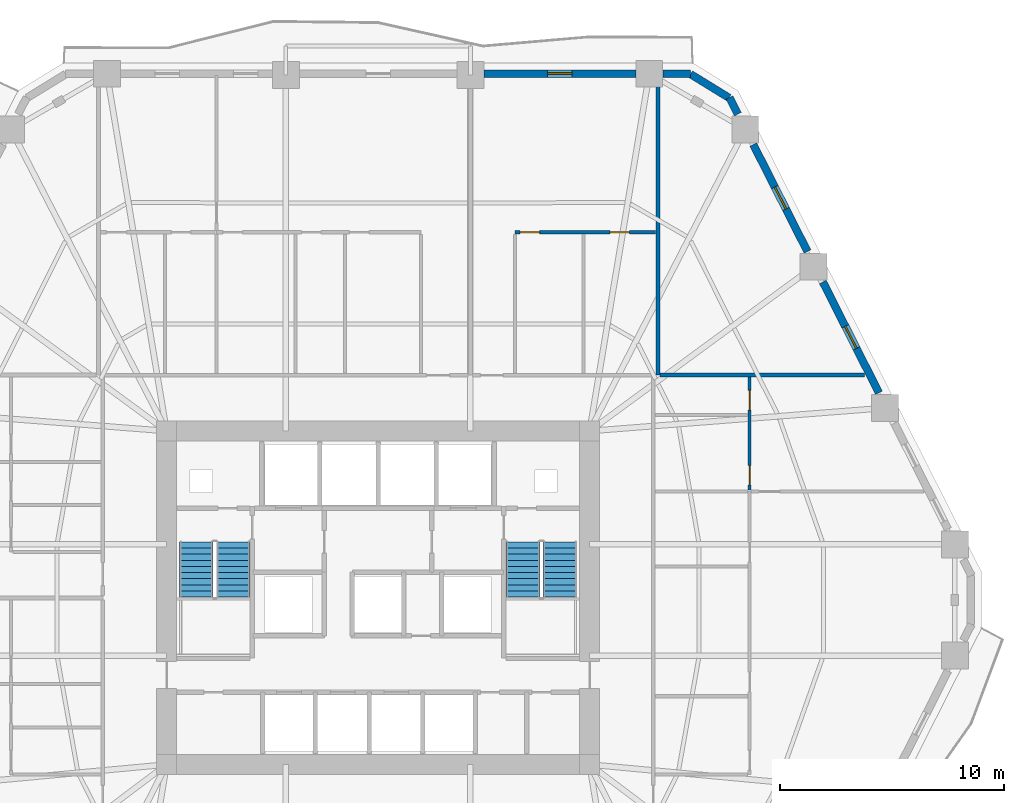
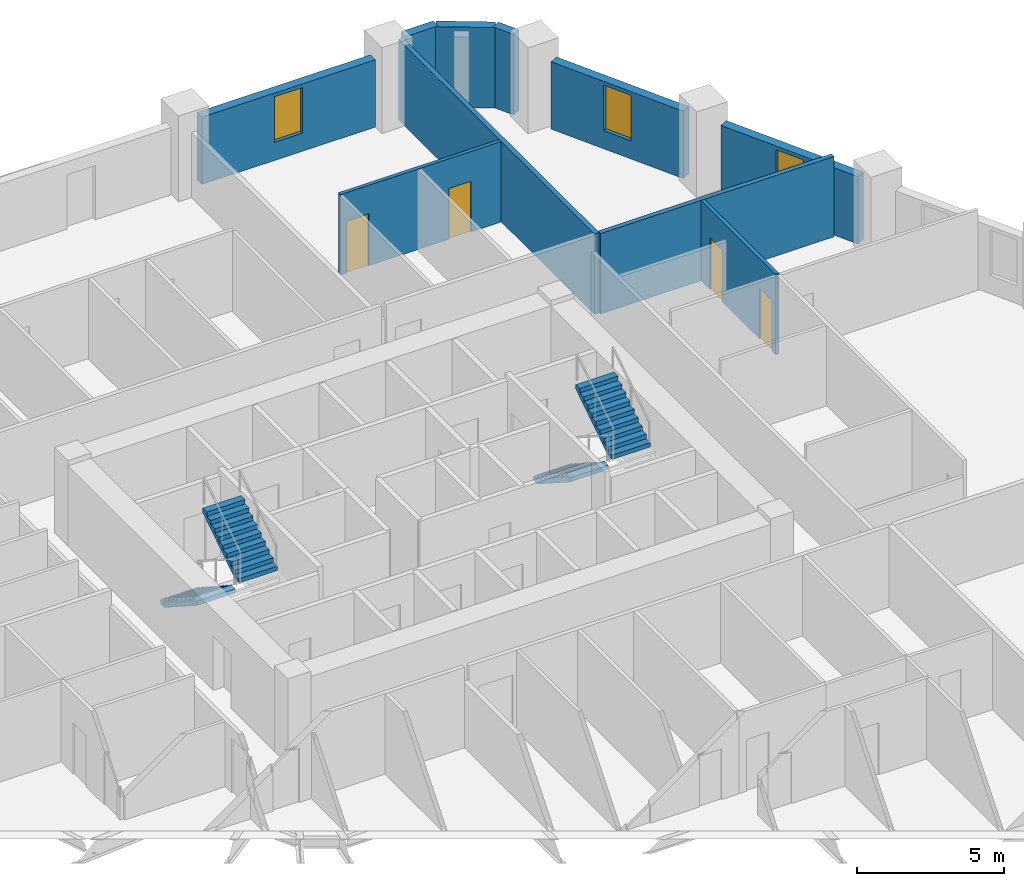
# One storey, part 8 of 12: 10 walls, 4 doors, 4 stair flights, 3 windows, 7 openings, 2 elements without a shape of their own.
"""IFC4 building model written with IfcOpenShell, lengths in metres."""

import ifcopenshell
import ifcopenshell.guid

model = None  # the IFC model being written
_history = None  # IfcOwnerHistory: only IFC2X3 demands one
_inside = {}  # id of a spatial element -> (the spatial element, [elements in it])
_under = {}  # id of a project, library or spatial element -> (it, [spatial elements below it])
_declared = {}  # id of a project -> (the project, [libraries it declares])
_typed = {}  # id of a type object -> (the type object, [elements of that type])
_made_of = {}  # id of a material, layer set ... -> (it, [elements and type objects made of it])


def new_model(schema):
    """Start an empty IFC model of exactly this schema.

    Asked for "IFC4X3", IfcOpenShell would pick the latest addendum, in which some entities
    have other attributes; the version numbers below select the first issue.
    IFC2X3 requires an IfcOwnerHistory on every rooted entity: one is made here for all.
    """
    global model, _history
    if schema == "IFC4X3":
        model = ifcopenshell.file(schema_version=(4, 3, 0, 0))
    else:
        model = ifcopenshell.file(schema=schema)
    _inside.clear()
    _under.clear()
    _declared.clear()
    _typed.clear()
    _made_of.clear()
    _history = None
    if model.schema == "IFC2X3":
        org = make("IfcOrganization", Name="unknown")
        user = make(
            "IfcPersonAndOrganization",
            ThePerson=make("IfcPerson", FamilyName="unknown"),
            TheOrganization=org,
        )
        app = make(
            "IfcApplication",
            ApplicationDeveloper=org,
            Version="unknown",
            ApplicationFullName="unknown",
            ApplicationIdentifier="unknown",
        )
        _history = make(
            "IfcOwnerHistory",
            OwningUser=user,
            OwningApplication=app,
            ChangeAction="ADDED",
            CreationDate=0,
        )
    return model


def make(cls, **values):
    """One entity of the class cls with the attributes given. An attribute that is None is left unset."""
    return model.create_entity(
        cls, **{name: value for name, value in values.items() if value is not None}
    )


def rooted(cls, **values):
    """An entity with a GlobalId (a new one), such as an element, a storey or a relation."""
    return make(cls, GlobalId=ifcopenshell.guid.new(), OwnerHistory=_history, **values)


def si_unit(unit_type, name, prefix=None):
    """IfcSIUnit, for example si_unit("LENGTHUNIT", "METRE", prefix="MILLI")."""
    return make("IfcSIUnit", UnitType=unit_type, Prefix=prefix, Name=name)


def assignment(units):
    """IfcUnitAssignment: the units of a project."""
    return None if units is None else make("IfcUnitAssignment", Units=units)


def point(xyz):
    """IfcCartesianPoint."""
    return None if xyz is None else make("IfcCartesianPoint", Coordinates=xyz)


def direction(xyz):
    """IfcDirection."""
    return None if xyz is None else make("IfcDirection", DirectionRatios=xyz)


def frame(location, z_axis=None, x_axis=None):
    """IfcAxis2Placement3D, a coordinate frame: its origin and axes. An axis left out is left unset."""
    return make(
        "IfcAxis2Placement3D",
        Location=point(location),
        Axis=direction(z_axis),
        RefDirection=direction(x_axis),
    )


def frame_2d(location, x_axis=None):
    """IfcAxis2Placement2D, a coordinate frame in the plane: its origin and x axis."""
    return make(
        "IfcAxis2Placement2D", Location=point(location), RefDirection=direction(x_axis)
    )


def origin():
    """The frame at (0, 0, 0) with its axes left unset."""
    return frame((0.0, 0.0, 0.0))


def place(relative_to, where):
    """IfcLocalPlacement: puts the frame where relative to a parent placement (None: the world)."""
    return make(
        "IfcLocalPlacement", PlacementRelTo=relative_to, RelativePlacement=where
    )


def context(
    kind, dimensions, precision=None, world=None, true_north=None, identifier=None
):
    """IfcGeometricRepresentationContext, for example the 3D "Model" context."""
    return make(
        "IfcGeometricRepresentationContext",
        ContextIdentifier=identifier,
        ContextType=kind,
        CoordinateSpaceDimension=dimensions,
        Precision=precision,
        WorldCoordinateSystem=world,
        TrueNorth=true_north,
    )


def subcontext(parent, identifier, kind, view, scale=None):
    """IfcGeometricRepresentationSubContext, for example "Body" below "Model"."""
    return make(
        "IfcGeometricRepresentationSubContext",
        ContextIdentifier=identifier,
        ContextType=kind,
        ParentContext=parent,
        TargetScale=scale,
        TargetView=view,
    )


def project(units=None, contexts=None):
    """IfcProject with its units and contexts."""
    return rooted(
        "IfcProject",
        Name="project",
        RepresentationContexts=contexts,
        UnitsInContext=assignment(units),
    )


def spatial(cls, under=None, at=None, **own):
    """A site, building, storey or space (cls), placed at a placement, below another one or the project."""
    s = rooted(cls, ObjectPlacement=at, **own)
    if under is not None:
        _under.setdefault(under.id(), (under, []))[1].append(s)
    return s


def polyline(points):
    """IfcPolyline through the points."""
    return make("IfcPolyline", Points=[point(p) for p in points])


def profile(cls, at=None, kind="AREA", **sizes):
    """A parametric profile (cls). Its sizes go by their IFC names, for example OverallWidth=200.0."""
    return make(cls, ProfileType=kind, Position=at, **sizes)


def rectangle(**sizes):
    """IfcRectangleProfileDef."""
    return profile("IfcRectangleProfileDef", **sizes)


def outline(outer, holes=None, kind="AREA"):
    """IfcArbitraryClosedProfileDef: a profile drawn as a closed curve; with holes, ...WithVoids."""
    if holes is None:
        return make("IfcArbitraryClosedProfileDef", ProfileType=kind, OuterCurve=outer)
    return make(
        "IfcArbitraryProfileDefWithVoids",
        ProfileType=kind,
        OuterCurve=outer,
        InnerCurves=holes,
    )


def extrude(swept, where, along, depth):
    """IfcExtrudedAreaSolid: the profile swept, set in the frame where, extruded along a direction by depth."""
    return make(
        "IfcExtrudedAreaSolid",
        SweptArea=swept,
        Position=where,
        ExtrudedDirection=direction(along),
        Depth=depth,
    )


def shape(context_of_items, identifier, shape_type, items):
    """IfcShapeRepresentation: the items that make up one representation, for example the "Body"."""
    return make(
        "IfcShapeRepresentation",
        ContextOfItems=context_of_items,
        RepresentationIdentifier=identifier,
        RepresentationType=shape_type,
        Items=items,
    )


def material(Name=None, Category=None):
    """IfcMaterial."""
    return make("IfcMaterial", Name=Name, Category=Category)


def layer(
    of_material, thickness, ventilated=None, Name=None, Category=None, Priority=None
):
    """IfcMaterialLayer: one layer of a wall or slab, of a material (None: an air gap)."""
    return make(
        "IfcMaterialLayer",
        Material=of_material,
        LayerThickness=thickness,
        IsVentilated=ventilated,
        Name=Name,
        Category=Category,
        Priority=Priority,
    )


def layer_set(layers, Name=None):
    """IfcMaterialLayerSet."""
    return make("IfcMaterialLayerSet", MaterialLayers=layers, LayerSetName=Name)


def made_of(thing, what):
    """Note that an element or type object is made of a material, layer set ...; save() writes the relation."""
    if what is not None:
        _made_of.setdefault(what.id(), (what, []))[1].append(thing)
    return thing


def type_object(cls, material=None, **own):
    """A type object (cls), such as IfcWallType, which elements share."""
    return made_of(rooted(cls, **own), material)


def element(
    cls,
    number,
    at=None,
    inside=None,
    cuts=None,
    type_object=None,
    material=None,
    context=None,
    identifier="Body",
    shape_type=None,
    held_by="IfcProductDefinitionShape",
    body=None,
    shapes=None,
    **own,
):
    """One element of the class cls, such as IfcWall. Its Tag is "e" and its number.

    at: its placement. inside: the storey or other place that contains it. cuts: it is an
    opening in that element (IfcRelVoidsElement). A single representation is given by context,
    identifier, shape_type and body (its items); several are given by shapes. held_by: the class
    of the entity that holds the representations. save() writes the other relations.
    """
    e = rooted(cls, Tag="e%d" % number, ObjectPlacement=at, **own)
    if body is not None:
        shapes = [shape(context, identifier, shape_type, body)]
    if shapes is not None:
        e.Representation = make(held_by, Representations=shapes)
    if inside is not None:
        _inside.setdefault(inside.id(), (inside, []))[1].append(e)
    if cuts is not None:
        rooted(
            "IfcRelVoidsElement", RelatingBuildingElement=cuts, RelatedOpeningElement=e
        )
    if type_object is not None:
        _typed.setdefault(type_object.id(), (type_object, []))[1].append(e)
    return made_of(e, material)


def fill(opening, filler):
    """IfcRelFillsElement: the door or window that sits in an opening."""
    return rooted(
        "IfcRelFillsElement",
        RelatingOpeningElement=opening,
        RelatedBuildingElement=filler,
    )


def aggregate(whole, parts):
    """IfcRelAggregates: a whole, such as a stair, and the parts it consists of."""
    return rooted("IfcRelAggregates", RelatingObject=whole, RelatedObjects=parts)


def save(model, path):
    """Write the relations noted so far, then the file.

    IfcRelAggregates (storeys below a building ...), IfcRelContainedInSpatialStructure (elements
    in a storey), IfcRelDefinesByType, IfcRelAssociatesMaterial and IfcRelDeclares: one each for
    every whole, place, type object, material and project.
    """
    for whole, parts in _under.values():
        aggregate(whole, parts)
    for where, things in _inside.values():
        rooted(
            "IfcRelContainedInSpatialStructure",
            RelatedElements=things,
            RelatingStructure=where,
        )
    for kind, things in _typed.values():
        rooted("IfcRelDefinesByType", RelatedObjects=things, RelatingType=kind)
    for what, things in _made_of.values():
        rooted("IfcRelAssociatesMaterial", RelatedObjects=things, RelatingMaterial=what)
    for by, libraries in _declared.values():
        rooted("IfcRelDeclares", RelatingContext=by, RelatedDefinitions=libraries)
    model.write(path)


model = new_model("IFC4")

# Units and contexts
model_context = context("Model", 3, precision=1e-05, world=origin(), true_north=direction((0.0, 1.0)))
body_context = subcontext(model_context, "Body", "Model", "MODEL_VIEW")
ifc_project = project(units=[si_unit("LENGTHUNIT", "METRE"), si_unit("AREAUNIT", "SQUARE_METRE"), si_unit("VOLUMEUNIT", "CUBIC_METRE"), si_unit("PLANEANGLEUNIT", "RADIAN"), si_unit("MASSUNIT", "GRAM", prefix="KILO")], contexts=[model_context])

# Site, building, storey
site_placement = place(None, origin())
site = spatial("IfcSite", under=ifc_project, at=site_placement, CompositionType="ELEMENT")
building_placement = place(site_placement, origin())
building = spatial("IfcBuilding", under=site, at=building_placement, Name="Cinnabar Lancet Tower", CompositionType="ELEMENT")
storey_placement = place(building_placement, frame((0.0, 0.0, 28.449951171875)))
storey = spatial("IfcBuildingStorey", under=building, at=storey_placement, Name="L06", CompositionType="ELEMENT", Elevation=28.449951171875)

# Walls
ifc_material_1 = material(Name="Fire-rated twin-frame acoustic drywall", Category="gypsum")
ifc_layer_1 = layer(ifc_material_1, 0.179931640625)
ifc_layer_set_1 = layer_set([ifc_layer_1], Name="Fire-rated twin-frame acoustic drywall")
wall_type_1 = type_object("IfcWallType", Name="ARC-WL-PARTY-180", PredefinedType="PARTITIONING", material=ifc_layer_set_1)
wall_1_placement = place(storey_placement, frame((44.89990234375, 35.85009765625, 0.0), z_axis=(0.0, 0.0, 1.0), x_axis=(0.0, 1.0, 0.0)))
element("IfcWall", 1, at=wall_1_placement, inside=storey, type_object=wall_type_1, Name="PW-L06-NPTY-449", PredefinedType="PARTITIONING", context=body_context, shape_type="SweptSolid", body=[
    extrude(rectangle(XDim=13.294921875, YDim=0.179931640625, at=frame_2d((6.6474609375, 0.0))), origin(), (0.0, 0.0, 1.0), 3.330078125),
])
wall_2_placement = place(storey_placement, frame((44.9951171875, 35.85009765625, 0.0), z_axis=(0.0, 0.0, 1.0), x_axis=(1.0, 0.0, 0.0)))
element("IfcWall", 2, at=wall_2_placement, inside=storey, type_object=wall_type_1, Name="PW-L06-ENB", PredefinedType="PARTITIONING", context=body_context, shape_type="SweptSolid", body=[
    extrude(rectangle(XDim=9.139892578125, YDim=0.179931640625, at=frame_2d((4.56982421875, 0.0))), origin(), (0.0, 0.0, 1.0), 3.330078125),
])

# Wall, openings, doors
ifc_material_2 = material(Name="Moisture-resistant cement-board plumbing wall", Category="masonry")
ifc_layer_2 = layer(ifc_material_2, 0.139892578125)
ifc_layer_set_2 = layer_set([ifc_layer_2], Name="Moisture-resistant cement-board plumbing wall")
wall_type_2 = type_object("IfcWallType", Name="ARC-WL-WET-140", PredefinedType="PLUMBINGWALL", material=ifc_layer_set_2)
wall_3_placement = place(storey_placement, frame((38.52197265625, 42.23193359375, 0.0), z_axis=(0.0, 0.0, 1.0), x_axis=(1.0, 0.0, 0.0)))
wall_3 = element("IfcWall", 3, at=wall_3_placement, inside=storey, type_object=wall_type_2, Name="UW-L06-N02-SPL", PredefinedType="PLUMBINGWALL", context=body_context, shape_type="SweptSolid", body=[
    extrude(rectangle(XDim=6.282958984375, YDim=0.139892578125, at=frame_2d((3.1416015625, 0.0))), origin(), (0.0, 0.0, 1.0), 3.330078125),
])
opening_1_placement = place(wall_3_placement, frame((4.2470703125, 0.0, 0.0)))
opening_1 = element("IfcOpeningElement", 4, at=opening_1_placement, cuts=wall_3, Name="Opening BD-01", PredefinedType="OPENING", context=body_context, shape_type="SweptSolid", body=[
    extrude(rectangle(XDim=0.860107421875, YDim=2.10009765625, at=frame_2d((0.43017578125, 1.050048828125))), frame((0.0, 0.079833984375, 0.0), z_axis=(0.0, -1.0, 0.0), x_axis=(1.0, 0.0, 0.0)), (0.0, 0.0, 1.0), 0.159912109375),
])
opening_2_placement = place(wall_3_placement, frame((0.219970703125, 0.0, 0.0)))
opening_2 = element("IfcOpeningElement", 5, at=opening_2_placement, cuts=wall_3, Name="Opening RD-02", PredefinedType="OPENING", context=body_context, shape_type="SweptSolid", body=[
    extrude(rectangle(XDim=0.8798828125, YDim=2.14990234375, at=frame_2d((0.43994140625, 1.074951171875))), frame((0.0, 0.079833984375, 0.0), z_axis=(0.0, -1.0, 0.0), x_axis=(1.0, 0.0, 0.0)), (0.0, 0.0, 1.0), 0.159912109375),
])
ifc_material_3 = material(Name="Moisture-resistant timber bathroom door", Category="wood")
door_type_1 = type_object("IfcDoorType", Name="ARC-DR-BATH", OperationType="NOTDEFINED", PredefinedType="DOOR", material=ifc_material_3)
door_1_placement = place(opening_1_placement, origin())
door_1 = element("IfcDoor", 6, at=door_1_placement, inside=storey, type_object=door_type_1, Name="DR-L06-N02-BTH", OperationType="SINGLE_SWING_RIGHT", OverallHeight=2.10009765625, OverallWidth=0.860107421875, PredefinedType="DOOR", context=body_context, shape_type="SweptSolid", body=[
    extrude(rectangle(XDim=0.860107421875, YDim=2.10009765625, at=frame_2d((0.43017578125, 1.050048828125))), frame((0.0, 0.02490234375, 0.0), z_axis=(0.0, -1.0, 0.0), x_axis=(1.0, 0.0, 0.0)), (0.0, 0.0, 1.0), 0.050048828125),
])
fill(opening_1, door_1)
ifc_material_4 = material(Name="Engineered timber study door", Category="wood")
door_type_2 = type_object("IfcDoorType", Name="ARC-DR-STUDY", OperationType="NOTDEFINED", PredefinedType="DOOR", material=ifc_material_4)
door_2_placement = place(opening_2_placement, origin())
door_2 = element("IfcDoor", 7, at=door_2_placement, inside=storey, type_object=door_type_2, Name="DR-L06-N02-KIT", OperationType="SINGLE_SWING_LEFT", OverallHeight=2.14990234375, OverallWidth=0.8798828125, PredefinedType="DOOR", context=body_context, shape_type="SweptSolid", body=[
    extrude(rectangle(XDim=0.8798828125, YDim=2.14990234375, at=frame_2d((0.43994140625, 1.074951171875))), frame((0.0, 0.02490234375, 0.0), z_axis=(0.0, -1.0, 0.0), x_axis=(1.0, 0.0, 0.0)), (0.0, 0.0, 1.0), 0.050048828125),
])
fill(opening_2, door_2)

wall_4_placement = place(storey_placement, frame((49.0, 30.718994140625, 0.0), z_axis=(0.0, 0.0, 1.0), x_axis=(0.0, 1.0, 0.0)))
wall_4 = element("IfcWall", 8, at=wall_4_placement, inside=storey, type_object=wall_type_2, Name="UW-L06-E01-SPM", PredefinedType="PLUMBINGWALL", context=body_context, shape_type="SweptSolid", body=[
    extrude(rectangle(XDim=5.035888671875, YDim=0.139892578125, at=frame_2d((2.51806640625, 0.0))), origin(), (0.0, 0.0, 1.0), 3.330078125),
])
opening_3_placement = place(wall_4_placement, frame((0.219970703125, 0.0, 0.0)))
opening_3 = element("IfcOpeningElement", 9, at=opening_3_placement, cuts=wall_4, Name="Opening BD-01", PredefinedType="OPENING", context=body_context, shape_type="SweptSolid", body=[
    extrude(rectangle(XDim=0.860107421875, YDim=2.10009765625, at=frame_2d((0.43017578125, 1.050048828125))), frame((0.0, 0.079833984375, 0.0), z_axis=(0.0, -1.0, 0.0), x_axis=(1.0, 0.0, 0.0)), (0.0, 0.0, 1.0), 0.159912109375),
])
opening_4_placement = place(wall_4_placement, frame((3.570068359375, 0.0, 0.0)))
opening_4 = element("IfcOpeningElement", 10, at=opening_4_placement, cuts=wall_4, Name="Opening RD-02", PredefinedType="OPENING", context=body_context, shape_type="SweptSolid", body=[
    extrude(rectangle(XDim=0.8798828125, YDim=2.14990234375, at=frame_2d((0.43994140625, 1.074951171875))), frame((0.0, 0.079833984375, 0.0), z_axis=(0.0, -1.0, 0.0), x_axis=(1.0, 0.0, 0.0)), (0.0, 0.0, 1.0), 0.159912109375),
])
door_3_placement = place(opening_3_placement, origin())
door_3 = element("IfcDoor", 11, at=door_3_placement, inside=storey, type_object=door_type_1, Name="DR-L06-E01-ENS", OperationType="SINGLE_SWING_LEFT", OverallHeight=2.10009765625, OverallWidth=0.860107421875, PredefinedType="DOOR", context=body_context, shape_type="SweptSolid", body=[
    extrude(rectangle(XDim=0.860107421875, YDim=2.10009765625, at=frame_2d((0.43017578125, 1.050048828125))), frame((0.0, 0.02490234375, 0.0), z_axis=(0.0, -1.0, 0.0), x_axis=(1.0, 0.0, 0.0)), (0.0, 0.0, 1.0), 0.050048828125),
])
fill(opening_3, door_3)
door_4_placement = place(opening_4_placement, origin())
door_4 = element("IfcDoor", 12, at=door_4_placement, inside=storey, type_object=door_type_2, Name="DR-L06-E01-EWDR", OperationType="SINGLE_SWING_RIGHT", OverallHeight=2.14990234375, OverallWidth=0.8798828125, PredefinedType="DOOR", context=body_context, shape_type="SweptSolid", body=[
    extrude(rectangle(XDim=0.8798828125, YDim=2.14990234375, at=frame_2d((0.43994140625, 1.074951171875))), frame((0.0, 0.02490234375, 0.0), z_axis=(0.0, -1.0, 0.0), x_axis=(1.0, 0.0, 0.0)), (0.0, 0.0, 1.0), 0.050048828125),
])
fill(opening_4, door_4)

# Wall
ifc_material_5 = material(Name="Cinnabar red clay brick", Category="masonry")
ifc_layer_3 = layer(ifc_material_5, 0.340087890625)
ifc_layer_set_3 = layer_set([ifc_layer_3], Name="Cinnabar red clay brick")
wall_type_3 = type_object("IfcWallType", Name="ENV-WL-BRK-RED-340", PredefinedType="STANDARD", material=ifc_layer_set_3)
wall_5_placement = place(storey_placement, frame((48.080078125, 48.238037109375, 0.0), z_axis=(0.0, 0.0, 1.0), x_axis=(-0.851870104345, 0.523753114857, 0.0)))
element("IfcWall", 13, at=wall_5_placement, inside=storey, type_object=wall_type_3, Name="L06 Chamfered Corner Brick Pier 4.1", PredefinedType="STANDARD", context=body_context, shape_type="SweptSolid", body=[
    extrude(rectangle(XDim=2.017822265625, YDim=0.340087890625, at=frame_2d((1.0087890625, 0.0))), origin(), (0.0, 0.0, 1.0), 3.330078125),
])

# Wall, opening, window
wall_6_placement = place(storey_placement, frame((54.77587890625, 35.06103515625, 0.0), z_axis=(0.0, 0.0, 1.0), x_axis=(-0.451592100298, 0.892224509273, 0.0)))
wall_6 = element("IfcWall", 14, at=wall_6_placement, inside=storey, type_object=wall_type_3, Name="L06 Face 3 Masonry Bay Wall 3", PredefinedType="STANDARD", context=body_context, shape_type="SweptSolid", body=[
    extrude(rectangle(XDim=5.546875, YDim=0.340087890625, at=frame_2d((2.7734375, 0.0))), origin(), (0.0, 0.0, 1.0), 2.787109375),
])
opening_5_placement = place(wall_6_placement, frame((2.222900390625, 0.0, 0.75)))
opening_5 = element("IfcOpeningElement", 15, at=opening_5_placement, cuts=wall_6, Name="Opening WN-04", PredefinedType="OPENING", context=body_context, shape_type="SweptSolid", body=[
    extrude(rectangle(XDim=1.10009765625, YDim=1.886962890625, at=frame_2d((0.550048828125, 0.943359375))), frame((0.0, 0.179931640625, 0.0), z_axis=(0.0, -1.0, 0.0), x_axis=(1.0, 0.0, 0.0)), (0.0, 0.0, 1.0), 0.360107421875),
])
ifc_material_6 = material(Name="Thermally broken bronze-anodized aluminium tall lancet window", Category="aluminium")
window_type = type_object("IfcWindowType", Name="ENV-WN-LANCET-1100", PartitioningType="SINGLE_PANEL", PredefinedType="WINDOW", material=ifc_material_6)
window_1_placement = place(opening_5_placement, origin())
window_1 = element("IfcWindow", 16, at=window_1_placement, inside=storey, type_object=window_type, Name="L06 Face 3 Gothic Lancet Window 3", OverallHeight=1.886962890625, OverallWidth=1.10009765625, PartitioningType="SINGLE_PANEL", PredefinedType="WINDOW", context=body_context, shape_type="SweptSolid", body=[
    extrude(rectangle(XDim=1.10009765625, YDim=1.886962890625, at=frame_2d((0.550048828125, 0.943359375))), frame((0.0, 0.030029296875, 0.0), z_axis=(0.0, -1.0, 0.0), x_axis=(1.0, 0.0, 0.0)), (0.0, 0.0, 1.0), 0.06005859375),
])
fill(opening_5, window_1)

wall_7_placement = place(storey_placement, frame((51.5830078125, 41.3720703125, 0.0), z_axis=(0.0, 0.0, 1.0), x_axis=(-0.451697561555, 0.892171123095, 0.0)))
wall_7 = element("IfcWall", 17, at=wall_7_placement, inside=storey, type_object=wall_type_3, Name="L06 Face 3 Masonry Bay Wall 4", PredefinedType="STANDARD", context=body_context, shape_type="SweptSolid", body=[
    extrude(rectangle(XDim=5.350830078125, YDim=0.340087890625, at=frame_2d((2.67529296875, 0.0))), origin(), (0.0, 0.0, 1.0), 2.787109375),
])
opening_6_placement = place(wall_7_placement, frame((2.125, 0.0, 0.75)))
opening_6 = element("IfcOpeningElement", 18, at=opening_6_placement, cuts=wall_7, Name="Opening WN-04", PredefinedType="OPENING", context=body_context, shape_type="SweptSolid", body=[
    extrude(rectangle(XDim=1.10009765625, YDim=1.886962890625, at=frame_2d((0.550048828125, 0.943359375))), frame((0.0, 0.179931640625, 0.0), z_axis=(0.0, -1.0, 0.0), x_axis=(1.0, 0.0, 0.0)), (0.0, 0.0, 1.0), 0.360107421875),
])
window_2_placement = place(opening_6_placement, origin())
window_2 = element("IfcWindow", 19, at=window_2_placement, inside=storey, type_object=window_type, Name="L06 Face 3 Gothic Lancet Window 4", OverallHeight=1.886962890625, OverallWidth=1.10009765625, PartitioningType="SINGLE_PANEL", PredefinedType="WINDOW", context=body_context, shape_type="SweptSolid", body=[
    extrude(rectangle(XDim=1.10009765625, YDim=1.886962890625, at=frame_2d((0.550048828125, 0.943359375))), frame((0.0, 0.030029296875, 0.0), z_axis=(0.0, -1.0, 0.0), x_axis=(1.0, 0.0, 0.0)), (0.0, 0.0, 1.0), 0.06005859375),
])
fill(opening_6, window_2)

# Walls
wall_8_placement = place(storey_placement, frame((48.47802734375, 47.508056640625, 0.0), z_axis=(0.0, 0.0, 1.0), x_axis=(-0.451995771866, 0.892020079491, 0.0)))
element("IfcWall", 20, at=wall_8_placement, inside=storey, type_object=wall_type_3, Name="L06 Face 3 Masonry Bay Wall 5", PredefinedType="STANDARD", context=body_context, shape_type="SweptSolid", body=[
    extrude(rectangle(XDim=0.836181640625, YDim=0.340087890625, at=frame_2d((0.41796875, 0.0))), origin(), (0.0, 0.0, 1.0), 3.330078125),
])
wall_9_placement = place(storey_placement, frame((46.365966796875, 49.320068359375, 0.0), z_axis=(0.0, 0.0, 1.0), x_axis=(-1.0, 0.0, 0.0)))
element("IfcWall", 21, at=wall_9_placement, inside=storey, type_object=wall_type_3, Name="L06 Face 4 Masonry Bay Wall 1", PredefinedType="STANDARD", context=body_context, shape_type="SweptSolid", body=[
    extrude(rectangle(XDim=1.244873046875, YDim=0.340087890625, at=frame_2d((0.62255859375, 0.0))), origin(), (0.0, 0.0, 1.0), 3.330078125),
])

# Wall, opening, window
wall_10_placement = place(storey_placement, frame((43.9130859375, 49.320068359375, 0.0), z_axis=(0.0, 0.0, 1.0), x_axis=(-1.0, 0.0, 0.0)))
wall_10 = element("IfcWall", 22, at=wall_10_placement, inside=storey, type_object=wall_type_3, Name="L06 Face 4 Masonry Bay Wall 2", PredefinedType="STANDARD", context=body_context, shape_type="SweptSolid", body=[
    extrude(rectangle(XDim=6.787109375, YDim=0.340087890625, at=frame_2d((3.3935546875, 0.0))), origin(), (0.0, 0.0, 1.0), 2.787109375),
])
opening_7_placement = place(wall_10_placement, frame((2.843017578125, 0.0, 0.75)))
opening_7 = element("IfcOpeningElement", 23, at=opening_7_placement, cuts=wall_10, Name="Opening WN-04", PredefinedType="OPENING", context=body_context, shape_type="SweptSolid", body=[
    extrude(rectangle(XDim=1.10009765625, YDim=1.886962890625, at=frame_2d((0.550048828125, 0.943359375))), frame((0.0, 0.179931640625, 0.0), z_axis=(0.0, -1.0, 0.0), x_axis=(1.0, 0.0, 0.0)), (0.0, 0.0, 1.0), 0.360107421875),
])
window_3_placement = place(opening_7_placement, origin())
window_3 = element("IfcWindow", 24, at=window_3_placement, inside=storey, type_object=window_type, Name="L06 Face 4 Gothic Lancet Window 2", OverallHeight=1.886962890625, OverallWidth=1.10009765625, PartitioningType="SINGLE_PANEL", PredefinedType="WINDOW", context=body_context, shape_type="SweptSolid", body=[
    extrude(rectangle(XDim=1.10009765625, YDim=1.886962890625, at=frame_2d((0.550048828125, 0.943359375))), frame((0.0, 0.030029296875, 0.0), z_axis=(0.0, -1.0, 0.0), x_axis=(1.0, 0.0, 0.0)), (0.0, 0.0, 1.0), 0.06005859375),
])
fill(opening_7, window_3)

# Stair, stair flights
ifc_material_7 = material(Name="Concrete C40/50", Category="concrete")
stair_type = type_object("IfcStairType", Name="ST-CORE", PredefinedType="HALF_TURN_STAIR", material=ifc_material_7)
stair_1_placement = place(storey_placement, origin())
stair_1 = element("IfcStair", 25, at=stair_1_placement, inside=storey, type_object=stair_type, Name="L06 ST-1", PredefinedType="HALF_TURN_STAIR")
ifc_material_8 = material(Name="Concrete C40/50", Category="concrete")
stair_flight_type = type_object("IfcStairFlightType", Name="FLIGHT-CORE", PredefinedType="STRAIGHT", material=ifc_material_8)
stair_flight_1_placement = place(storey_placement, frame((24.27490234375, 28.39990234375, 0.0), z_axis=(0.0, 0.0, 1.0), x_axis=(0.0, -1.0, 0.0)))
stair_flight_1 = element("IfcStairFlight", 26, at=stair_flight_1_placement, type_object=stair_flight_type, Name="ST-1 flight 1", NumberOfRisers=10, NumberOfTreads=9, PredefinedType="STRAIGHT", RiserHeight=0.1775, TreadLength=0.275, context=body_context, shape_type="SweptSolid", body=[
    extrude(outline(polyline([(0.0, 0.0), (0.0, 0.177490234375), (0.27490234375, 0.177490234375), (0.27490234375, 0.35498046875), (0.550048828125, 0.35498046875), (0.550048828125, 0.532470703125), (0.824951171875, 0.532470703125), (0.824951171875, 0.7099609375), (1.10009765625, 0.7099609375), (1.10009765625, 0.887451171875), (1.375, 0.887451171875), (1.375, 1.06494140625), (1.64990234375, 1.06494140625), (1.64990234375, 1.242431640625), (1.925048828125, 1.242431640625), (1.925048828125, 1.419921875), (2.199951171875, 1.419921875), (2.199951171875, 1.597412109375), (2.47509765625, 1.597412109375), (2.47509765625, 1.77490234375), (2.47509765625, 1.419189453125), (0.2763671875, 0.0), (0.0, 0.0)])), frame((0.0, 0.75, 0.0), z_axis=(0.0, -1.0, 0.0), x_axis=(1.0, 0.0, 0.0)), (0.0, 0.0, 1.0), 1.5),
])
stair_flight_2_placement = place(storey_placement, frame((25.925048828125, 25.925048828125, 1.775146484375), z_axis=(0.0, 0.0, 1.0), x_axis=(0.0, 1.0, 0.0)))
stair_flight_2 = element("IfcStairFlight", 27, at=stair_flight_2_placement, type_object=stair_flight_type, Name="ST-1 flight 2", NumberOfRisers=10, NumberOfTreads=9, PredefinedType="STRAIGHT", RiserHeight=0.1775, TreadLength=0.275, context=body_context, shape_type="SweptSolid", body=[
    extrude(outline(polyline([(0.0, 0.0), (0.0, 0.177490234375), (0.27490234375, 0.177490234375), (0.27490234375, 0.35498046875), (0.550048828125, 0.35498046875), (0.550048828125, 0.532470703125), (0.824951171875, 0.532470703125), (0.824951171875, 0.7099609375), (1.10009765625, 0.7099609375), (1.10009765625, 0.887451171875), (1.375, 0.887451171875), (1.375, 1.06494140625), (1.64990234375, 1.06494140625), (1.64990234375, 1.242431640625), (1.925048828125, 1.242431640625), (1.925048828125, 1.419921875), (2.199951171875, 1.419921875), (2.199951171875, 1.597412109375), (2.47509765625, 1.597412109375), (2.47509765625, 1.77490234375), (2.47509765625, 1.419189453125), (0.2763671875, 0.0), (0.0, 0.0)])), frame((0.0, 0.75, 0.0), z_axis=(0.0, -1.0, 0.0), x_axis=(1.0, 0.0, 0.0)), (0.0, 0.0, 1.0), 1.5),
])
aggregate(stair_1, [stair_flight_1, stair_flight_2])

stair_2_placement = place(storey_placement, origin())
stair_2 = element("IfcStair", 28, at=stair_2_placement, inside=storey, type_object=stair_type, Name="L06 ST-2", PredefinedType="HALF_TURN_STAIR")
stair_flight_3_placement = place(storey_placement, frame((38.875, 28.39990234375, 0.0), z_axis=(0.0, 0.0, 1.0), x_axis=(0.0, -1.0, 0.0)))
stair_flight_3 = element("IfcStairFlight", 29, at=stair_flight_3_placement, type_object=stair_flight_type, Name="ST-2 flight 1", NumberOfRisers=10, NumberOfTreads=9, PredefinedType="STRAIGHT", RiserHeight=0.1775, TreadLength=0.275, context=body_context, shape_type="SweptSolid", body=[
    extrude(outline(polyline([(0.0, 0.0), (0.0, 0.177490234375), (0.27490234375, 0.177490234375), (0.27490234375, 0.35498046875), (0.550048828125, 0.35498046875), (0.550048828125, 0.532470703125), (0.824951171875, 0.532470703125), (0.824951171875, 0.7099609375), (1.10009765625, 0.7099609375), (1.10009765625, 0.887451171875), (1.375, 0.887451171875), (1.375, 1.06494140625), (1.64990234375, 1.06494140625), (1.64990234375, 1.242431640625), (1.925048828125, 1.242431640625), (1.925048828125, 1.419921875), (2.199951171875, 1.419921875), (2.199951171875, 1.597412109375), (2.47509765625, 1.597412109375), (2.47509765625, 1.77490234375), (2.47509765625, 1.419189453125), (0.2763671875, 0.0), (0.0, 0.0)])), frame((0.0, 0.75, 0.0), z_axis=(0.0, -1.0, 0.0), x_axis=(1.0, 0.0, 0.0)), (0.0, 0.0, 1.0), 1.5),
])
stair_flight_4_placement = place(storey_placement, frame((40.52490234375, 25.925048828125, 1.775146484375), z_axis=(0.0, 0.0, 1.0), x_axis=(0.0, 1.0, 0.0)))
stair_flight_4 = element("IfcStairFlight", 30, at=stair_flight_4_placement, type_object=stair_flight_type, Name="ST-2 flight 2", NumberOfRisers=10, NumberOfTreads=9, PredefinedType="STRAIGHT", RiserHeight=0.1775, TreadLength=0.275, context=body_context, shape_type="SweptSolid", body=[
    extrude(outline(polyline([(0.0, 0.0), (0.0, 0.177490234375), (0.27490234375, 0.177490234375), (0.27490234375, 0.35498046875), (0.550048828125, 0.35498046875), (0.550048828125, 0.532470703125), (0.824951171875, 0.532470703125), (0.824951171875, 0.7099609375), (1.10009765625, 0.7099609375), (1.10009765625, 0.887451171875), (1.375, 0.887451171875), (1.375, 1.06494140625), (1.64990234375, 1.06494140625), (1.64990234375, 1.242431640625), (1.925048828125, 1.242431640625), (1.925048828125, 1.419921875), (2.199951171875, 1.419921875), (2.199951171875, 1.597412109375), (2.47509765625, 1.597412109375), (2.47509765625, 1.77490234375), (2.47509765625, 1.419189453125), (0.2763671875, 0.0), (0.0, 0.0)])), frame((0.0, 0.75, 0.0), z_axis=(0.0, -1.0, 0.0), x_axis=(1.0, 0.0, 0.0)), (0.0, 0.0, 1.0), 1.5),
])
aggregate(stair_2, [stair_flight_3, stair_flight_4])

save(model, "model.ifc")
